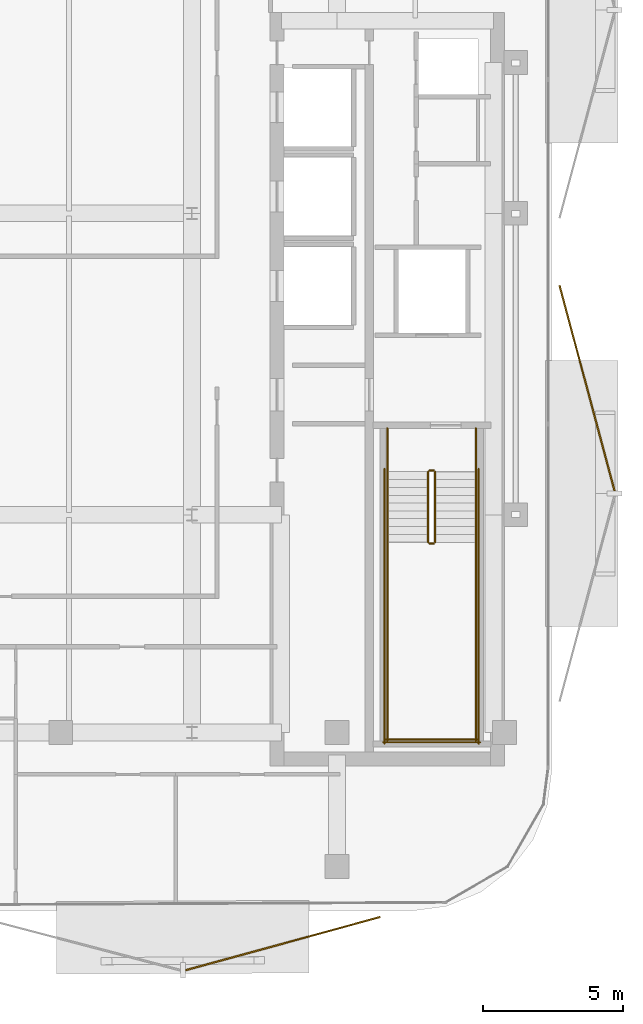
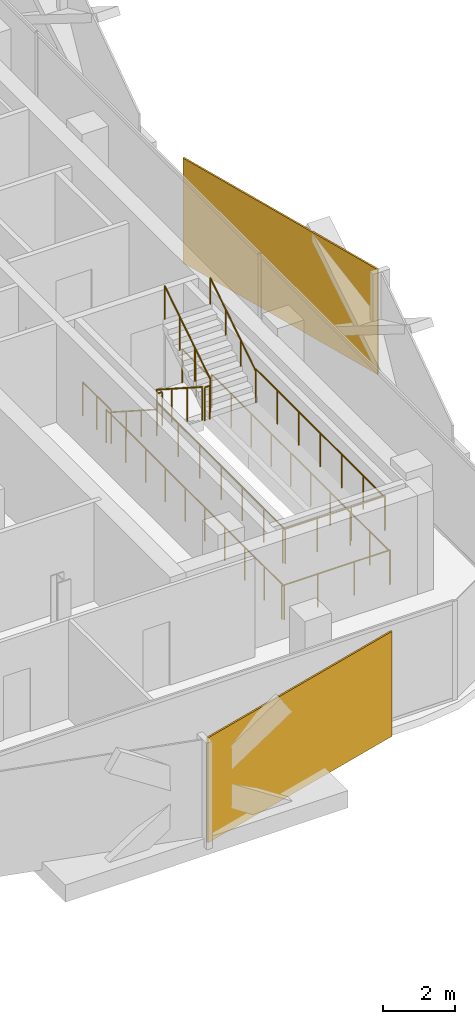
# One storey, part 15 of 16: 14 railings, 2 coverings.
"""IFC4 building model written with IfcOpenShell, lengths in metres."""

from ifc_helpers import new_model, si_unit, direction, frame, origin, origin_2d, place, context, subcontext, project, spatial, rectangle, circle, extrude, material, layer, layer_set, type_object, element, save


model = new_model("IFC4")

# Units and contexts
model_context = context("Model", 3, precision=1e-05, world=origin(), true_north=direction((0.0, 1.0)))
body_context = subcontext(model_context, "Body", "Model", "MODEL_VIEW")
ifc_project = project(units=[si_unit("LENGTHUNIT", "METRE"), si_unit("AREAUNIT", "SQUARE_METRE"), si_unit("VOLUMEUNIT", "CUBIC_METRE"), si_unit("PLANEANGLEUNIT", "RADIAN"), si_unit("MASSUNIT", "GRAM", prefix="KILO")], contexts=[model_context])

# Site, building, storey
site_placement = place(None, origin())
site = spatial("IfcSite", under=ifc_project, at=site_placement, CompositionType="ELEMENT")
building_placement = place(site_placement, origin())
building = spatial("IfcBuilding", under=site, at=building_placement, Name="Khairoan Windgate Tower", CompositionType="ELEMENT")
storey_placement = place(building_placement, frame((0.0, 0.0, 258.39990234375)))
storey = spatial("IfcBuildingStorey", under=building, at=storey_placement, Name="L61", CompositionType="ELEMENT", Elevation=258.39990234375)

# Coverings
ifc_material_1 = material(Name="Anodised Bronze Aluminium 6063-T6", Category="aluminium")
ifc_layer = layer(ifc_material_1, 0.054931640625, Name="Anodised Bronze Aluminium 6063-T6")
ifc_layer_set = layer_set([ifc_layer], Name="Anodised Bronze Aluminium 6063-T6")
covering_type = type_object("IfcCoveringType", Name="Perforated Bronze-Ceramic Folded Solar Screen Cladding BSC-1", PredefinedType="CLADDING", material=ifc_layer_set)
covering_1_placement = place(storey_placement, frame((12.45458984375, -26.162109375, -0.099853515625), z_axis=(0.0, 0.0, 1.0), x_axis=(-0.964649468762, -0.263536339841, 0.0)))
element("IfcCovering", 1, at=covering_1_placement, inside=storey, type_object=covering_type, Name="L61 Folded Bronze Solar Screen Facet 417L", PredefinedType="CLADDING", context=body_context, shape_type="SweptSolid", body=[
    extrude(rectangle(XDim=7.23193359375, YDim=0.054931640625, at=origin_2d()), origin(), (0.0, 0.0, 1.0), 3.5400390625),
])
covering_2_placement = place(storey_placement, frame((23.35400390625, -6.262939453125, -0.099853515625), z_axis=(0.0, 0.0, 1.0), x_axis=(0.258819045103, -0.965925826289, 0.0)))
element("IfcCovering", 2, at=covering_2_placement, inside=storey, type_object=covering_type, Name="L61 Folded Bronze Solar Screen Facet 424L", PredefinedType="CLADDING", context=body_context, shape_type="SweptSolid", body=[
    extrude(rectangle(XDim=7.618896484375, YDim=0.054931640625, at=origin_2d()), origin(), (0.0, 0.0, 1.0), 3.5400390625),
])

# Railings
ifc_material_2 = material(Name="Anodised Bronze Aluminium 6063-T6", Category="aluminium")
railing_type_1 = type_object("IfcRailingType", Name="Stair Wall Handrail SHR-900", PredefinedType="HANDRAIL", material=ifc_material_2)
railing_1_placement = place(storey_placement, frame((16.199951171875, -9.260009765625, 0.18017578125)))
element("IfcRailing", 3, at=railing_1_placement, inside=storey, type_object=railing_type_1, Name="L61 ST1 stair handrail 1", PredefinedType="HANDRAIL", context=body_context, shape_type="SweptSolid", body=[
    extrude(circle(Radius=0.02392578125, at=origin_2d()), frame((0.0, 0.0, 0.8759765625), z_axis=(0.0, -0.841199657755, 0.540724639528), x_axis=(1.0, 0.0, 0.0)), (0.0, 0.0, 1.0), 2.995849609375),
    extrude(circle(Radius=0.02099609375, at=origin_2d()), origin(), (0.0, 0.0, 1.0), 0.851806640625),
    extrude(circle(Radius=0.02099609375, at=origin_2d()), frame((0.0, -0.840087890625, 0.5400390625)), (0.0, 0.0, 1.0), 0.851806640625),
    extrude(circle(Radius=0.02099609375, at=origin_2d()), frame((0.0, -1.679931640625, 1.079833984375)), (0.0, 0.0, 1.0), 0.851806640625),
    extrude(circle(Radius=0.02099609375, at=origin_2d()), frame((0.0, -2.52001953125, 1.619873046875)), (0.0, 0.0, 1.0), 0.851806640625),
])
railing_2_placement = place(storey_placement, frame((19.3701171875, -11.780029296875, 1.97998046875)))
element("IfcRailing", 4, at=railing_2_placement, inside=storey, type_object=railing_type_1, Name="L61 ST1 stair handrail 2", PredefinedType="HANDRAIL", context=body_context, shape_type="SweptSolid", body=[
    extrude(circle(Radius=0.02392578125, at=origin_2d()), frame((0.0, 0.0, 0.8759765625), z_axis=(0.0, 0.841162588446, 0.540782303519), x_axis=(-1.0, 0.0, 0.0)), (0.0, 0.0, 1.0), 2.995849609375),
    extrude(circle(Radius=0.02099609375, at=origin_2d()), origin(), (0.0, 0.0, 1.0), 0.851806640625),
    extrude(circle(Radius=0.02099609375, at=origin_2d()), frame((0.0, 0.840087890625, 0.5400390625)), (0.0, 0.0, 1.0), 0.851806640625),
    extrude(circle(Radius=0.02099609375, at=origin_2d()), frame((0.0, 1.679931640625, 1.080078125)), (0.0, 0.0, 1.0), 0.851806640625),
    extrude(circle(Radius=0.02099609375, at=origin_2d()), frame((0.0, 2.52001953125, 1.6201171875)), (0.0, 0.0, 1.0), 0.851806640625),
])
ifc_material_3 = material(Name="Steel S355", Category="steel")
railing_type_2 = type_object("IfcRailingType", Name="Stairwell Safety Guardrail SGR-1150", PredefinedType="GUARDRAIL", material=ifc_material_3)
railing_3_placement = place(storey_placement, frame((17.659912109375, -9.260009765625, 0.18017578125)))
element("IfcRailing", 5, at=railing_3_placement, inside=storey, type_object=railing_type_2, Name="L61 ST1 stair guard 1", PredefinedType="GUARDRAIL", context=body_context, shape_type="SweptSolid", body=[
    extrude(circle(Radius=0.02392578125, at=origin_2d()), frame((0.0, 0.0, 1.1259765625), z_axis=(0.0, -0.841199657755, 0.540724639528), x_axis=(1.0, 0.0, 0.0)), (0.0, 0.0, 1.0), 2.995849609375),
    extrude(circle(Radius=0.02099609375, at=origin_2d()), origin(), (0.0, 0.0, 1.0), 1.101806640625),
    extrude(circle(Radius=0.02099609375, at=origin_2d()), frame((0.0, -0.840087890625, 0.5400390625)), (0.0, 0.0, 1.0), 1.101806640625),
    extrude(circle(Radius=0.02099609375, at=origin_2d()), frame((0.0, -1.679931640625, 1.079833984375)), (0.0, 0.0, 1.0), 1.101806640625),
    extrude(circle(Radius=0.02099609375, at=origin_2d()), frame((0.0, -2.52001953125, 1.619873046875)), (0.0, 0.0, 1.0), 1.101806640625),
])
railing_4_placement = place(storey_placement, frame((17.7099609375, -11.830078125, 1.800048828125)))
element("IfcRailing", 6, at=railing_4_placement, inside=storey, type_object=railing_type_2, Name="L61 ST1 stair guard 2", PredefinedType="GUARDRAIL", context=body_context, shape_type="SweptSolid", body=[
    extrude(circle(Radius=0.02392578125, at=origin_2d()), frame((0.0, 0.0, 1.1259765625), z_axis=(1.0, 0.0, 0.0), x_axis=(0.0, 1.0, 0.0)), (0.0, 0.0, 1.0), 0.150146484375),
    extrude(circle(Radius=0.02099609375, at=origin_2d()), origin(), (0.0, 0.0, 1.0), 1.101806640625),
    extrude(circle(Radius=0.02099609375, at=origin_2d()), frame((0.150146484375, 0.0, 0.0)), (0.0, 0.0, 1.0), 1.101806640625),
])
for number, where, name in (
    (7, (16.199951171875, -11.780029296875, 1.800048828125), "L61 ST1 stair guard 3"),
    (8, (19.3701171875, -11.780029296875, 1.800048828125), "L61 ST1 stair guard 4"),
):
    element("IfcRailing", number, at=place(storey_placement, frame(where)), inside=storey, type_object=railing_type_2, Name=name, PredefinedType="GUARDRAIL", context=body_context, shape_type="SweptSolid", body=[
        extrude(circle(Radius=0.02392578125, at=origin_2d()), frame((0.0, 0.0, 1.1259765625), z_axis=(0.0, -1.0, 0.0), x_axis=(1.0, 0.0, 0.0)), (0.0, 0.0, 1.0), 7.119873046875),
        extrude(circle(Radius=0.02099609375, at=origin_2d()), origin(), (0.0, 0.0, 1.0), 1.101806640625),
        extrude(circle(Radius=0.02099609375, at=origin_2d()), frame((0.0, -1.1865234375, 0.0)), (0.0, 0.0, 1.0), 1.101806640625),
        extrude(circle(Radius=0.02099609375, at=origin_2d()), frame((0.0, -2.373291015625, 0.0)), (0.0, 0.0, 1.0), 1.101806640625),
        extrude(circle(Radius=0.02099609375, at=origin_2d()), frame((0.0, -3.56005859375, 0.0)), (0.0, 0.0, 1.0), 1.101806640625),
        extrude(circle(Radius=0.02099609375, at=origin_2d()), frame((0.0, -4.74658203125, 0.0)), (0.0, 0.0, 1.0), 1.101806640625),
        extrude(circle(Radius=0.02099609375, at=origin_2d()), frame((0.0, -5.93310546875, 0.0)), (0.0, 0.0, 1.0), 1.101806640625),
        extrude(circle(Radius=0.02099609375, at=origin_2d()), frame((0.0, -7.119873046875, 0.0)), (0.0, 0.0, 1.0), 1.101806640625),
    ])
railing_5_placement = place(storey_placement, frame((16.14990234375, -18.85009765625, 1.800048828125)))
element("IfcRailing", 9, at=railing_5_placement, inside=storey, type_object=railing_type_2, Name="L61 ST1 stair guard 5", PredefinedType="GUARDRAIL", context=body_context, shape_type="SweptSolid", body=[
    extrude(circle(Radius=0.02392578125, at=origin_2d()), frame((0.0, 0.0, 1.1259765625), z_axis=(1.0, 0.0, 0.0), x_axis=(0.0, 1.0, 0.0)), (0.0, 0.0, 1.0), 3.27001953125),
    extrude(circle(Radius=0.02099609375, at=origin_2d()), origin(), (0.0, 0.0, 1.0), 1.101806640625),
    extrude(circle(Radius=0.02099609375, at=origin_2d()), frame((1.090087890625, 0.0, 0.0)), (0.0, 0.0, 1.0), 1.101806640625),
    extrude(circle(Radius=0.02099609375, at=origin_2d()), frame((2.179931640625, 0.0, 0.0)), (0.0, 0.0, 1.0), 1.101806640625),
    extrude(circle(Radius=0.02099609375, at=origin_2d()), frame((3.27001953125, 0.0, 0.0)), (0.0, 0.0, 1.0), 1.101806640625),
])
railing_6_placement = place(storey_placement, frame((17.909912109375, -11.780029296875, 1.97998046875)))
element("IfcRailing", 10, at=railing_6_placement, inside=storey, type_object=railing_type_2, Name="L61 ST1 stair guard 6", PredefinedType="GUARDRAIL", context=body_context, shape_type="SweptSolid", body=[
    extrude(circle(Radius=0.02392578125, at=origin_2d()), frame((0.0, 0.0, 1.1259765625), z_axis=(0.0, 0.841162588446, 0.540782303519), x_axis=(-1.0, 0.0, 0.0)), (0.0, 0.0, 1.0), 2.995849609375),
    extrude(circle(Radius=0.02099609375, at=origin_2d()), origin(), (0.0, 0.0, 1.0), 1.101806640625),
    extrude(circle(Radius=0.02099609375, at=origin_2d()), frame((0.0, 0.840087890625, 0.5400390625)), (0.0, 0.0, 1.0), 1.101806640625),
    extrude(circle(Radius=0.02099609375, at=origin_2d()), frame((0.0, 1.679931640625, 1.080078125)), (0.0, 0.0, 1.0), 1.101806640625),
    extrude(circle(Radius=0.02099609375, at=origin_2d()), frame((0.0, 2.52001953125, 1.6201171875)), (0.0, 0.0, 1.0), 1.101806640625),
])
railing_7_placement = place(storey_placement, frame((17.7099609375, -9.2099609375, 0.0)))
element("IfcRailing", 11, at=railing_7_placement, inside=storey, type_object=railing_type_2, Name="L61 ST1 stair guard 7", PredefinedType="GUARDRAIL", context=body_context, shape_type="SweptSolid", body=[
    extrude(circle(Radius=0.02392578125, at=origin_2d()), frame((0.0, 0.0, 1.1259765625), z_axis=(1.0, 0.0, 0.0), x_axis=(0.0, 1.0, 0.0)), (0.0, 0.0, 1.0), 0.150146484375),
    extrude(circle(Radius=0.02099609375, at=origin_2d()), origin(), (0.0, 0.0, 1.0), 1.101806640625),
    extrude(circle(Radius=0.02099609375, at=origin_2d()), frame((0.150146484375, 0.0, 0.0)), (0.0, 0.0, 1.0), 1.101806640625),
])
for number, where, name in (
    (12, (16.199951171875, -7.699951171875, 0.0), "L61 ST1 stair guard 8"),
    (13, (19.3701171875, -7.699951171875, 0.0), "L61 ST1 stair guard 9"),
):
    element("IfcRailing", number, at=place(storey_placement, frame(where)), inside=storey, type_object=railing_type_2, Name=name, PredefinedType="GUARDRAIL", context=body_context, shape_type="SweptSolid", body=[
        extrude(circle(Radius=0.02392578125, at=origin_2d()), frame((0.0, 0.0, 1.1259765625), z_axis=(0.0, -1.0, 0.0), x_axis=(1.0, 0.0, 0.0)), (0.0, 0.0, 1.0), 1.56005859375),
        extrude(circle(Radius=0.02099609375, at=origin_2d()), origin(), (0.0, 0.0, 1.0), 1.101806640625),
        extrude(circle(Radius=0.02099609375, at=origin_2d()), frame((0.0, -0.780029296875, 0.0)), (0.0, 0.0, 1.0), 1.101806640625),
        extrude(circle(Radius=0.02099609375, at=origin_2d()), frame((0.0, -1.56005859375, 0.0)), (0.0, 0.0, 1.0), 1.101806640625),
    ])
for number, where, name in (
    (14, (16.10009765625, -9.159912109375, 0.0), "L61 ST1 stair guard 10"),
    (15, (19.469970703125, -9.159912109375, 0.0), "L61 ST1 stair guard 11"),
):
    element("IfcRailing", number, at=place(storey_placement, frame(where)), inside=storey, type_object=railing_type_2, Name=name, PredefinedType="GUARDRAIL", context=body_context, shape_type="SweptSolid", body=[
        extrude(circle(Radius=0.02392578125, at=origin_2d()), frame((0.0, 0.0, 1.1259765625), z_axis=(0.0, -1.0, 0.0), x_axis=(1.0, 0.0, 0.0)), (0.0, 0.0, 1.0), 9.840087890625),
        extrude(circle(Radius=0.02099609375, at=origin_2d()), origin(), (0.0, 0.0, 1.0), 1.101806640625),
        extrude(circle(Radius=0.02099609375, at=origin_2d()), frame((0.0, -1.09326171875, 0.0)), (0.0, 0.0, 1.0), 1.101806640625),
        extrude(circle(Radius=0.02099609375, at=origin_2d()), frame((0.0, -2.186767578125, 0.0)), (0.0, 0.0, 1.0), 1.101806640625),
        extrude(circle(Radius=0.02099609375, at=origin_2d()), frame((0.0, -3.280029296875, 0.0)), (0.0, 0.0, 1.0), 1.101806640625),
        extrude(circle(Radius=0.02099609375, at=origin_2d()), frame((0.0, -4.373291015625, 0.0)), (0.0, 0.0, 1.0), 1.101806640625),
        extrude(circle(Radius=0.02099609375, at=origin_2d()), frame((0.0, -5.466796875, 0.0)), (0.0, 0.0, 1.0), 1.101806640625),
        extrude(circle(Radius=0.02099609375, at=origin_2d()), frame((0.0, -6.56005859375, 0.0)), (0.0, 0.0, 1.0), 1.101806640625),
        extrude(circle(Radius=0.02099609375, at=origin_2d()), frame((0.0, -7.6533203125, 0.0)), (0.0, 0.0, 1.0), 1.101806640625),
        extrude(circle(Radius=0.02099609375, at=origin_2d()), frame((0.0, -8.746826171875, 0.0)), (0.0, 0.0, 1.0), 1.101806640625),
        extrude(circle(Radius=0.02099609375, at=origin_2d()), frame((0.0, -9.840087890625, 0.0)), (0.0, 0.0, 1.0), 1.101806640625),
    ])
railing_8_placement = place(storey_placement, frame((16.050048828125, -18.949951171875, 0.0)))
element("IfcRailing", 16, at=railing_8_placement, inside=storey, type_object=railing_type_2, Name="L61 ST1 stair guard 12", PredefinedType="GUARDRAIL", context=body_context, shape_type="SweptSolid", body=[
    extrude(circle(Radius=0.02392578125, at=origin_2d()), frame((0.0, 0.0, 1.1259765625), z_axis=(1.0, 0.0, 0.0), x_axis=(0.0, 1.0, 0.0)), (0.0, 0.0, 1.0), 3.469970703125),
    extrude(circle(Radius=0.02099609375, at=origin_2d()), origin(), (0.0, 0.0, 1.0), 1.101806640625),
    extrude(circle(Radius=0.02099609375, at=origin_2d()), frame((1.15673828125, 0.0, 0.0)), (0.0, 0.0, 1.0), 1.101806640625),
    extrude(circle(Radius=0.02099609375, at=origin_2d()), frame((2.313232421875, 0.0, 0.0)), (0.0, 0.0, 1.0), 1.101806640625),
    extrude(circle(Radius=0.02099609375, at=origin_2d()), frame((3.469970703125, 0.0, 0.0)), (0.0, 0.0, 1.0), 1.101806640625),
])

save(model, "model.ifc")
